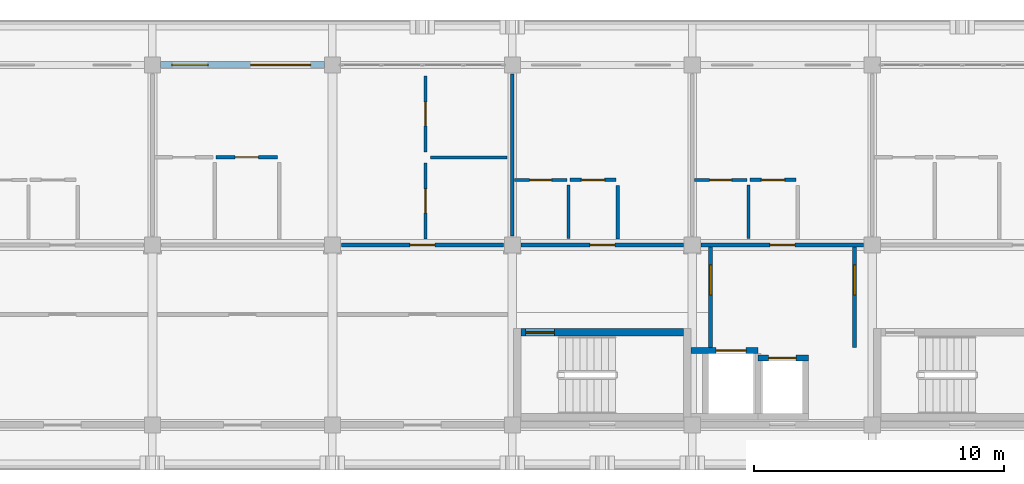
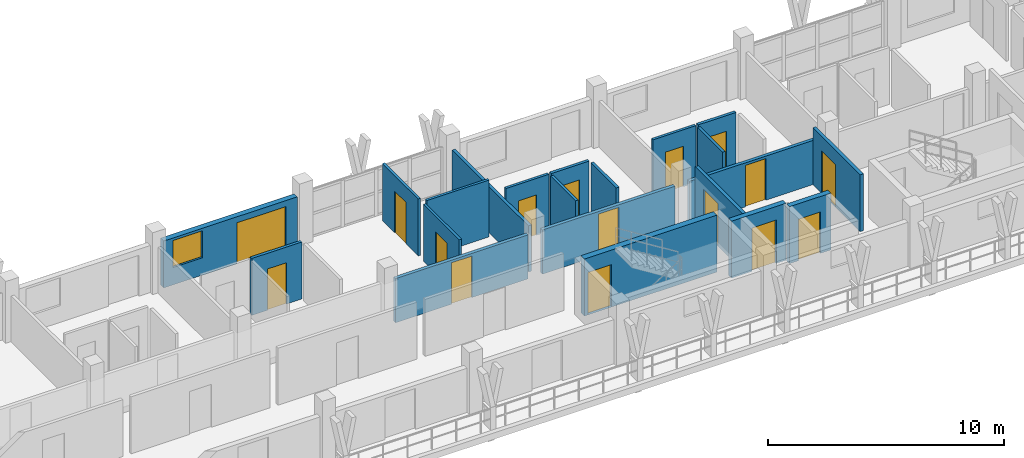
# One storey, part 47 of 78: 21 walls, 16 doors, 1 window, 17 openings.
"""IFC4 building model written with IfcOpenShell, lengths in metres."""

from ifc_helpers import new_model, si_unit, direction, frame, frame_2d, origin, place, context, subcontext, project, spatial, rectangle, extrude, material, layer, layer_set, type_object, element, fill, save


model = new_model("IFC4")

# Units and contexts
model_context = context("Model", 3, precision=1e-05, world=origin(), true_north=direction((0.0, 1.0)))
body_context = subcontext(model_context, "Body", "Model", "MODEL_VIEW")
ifc_project = project(units=[si_unit("LENGTHUNIT", "METRE"), si_unit("AREAUNIT", "SQUARE_METRE"), si_unit("VOLUMEUNIT", "CUBIC_METRE"), si_unit("PLANEANGLEUNIT", "RADIAN"), si_unit("MASSUNIT", "GRAM", prefix="KILO")], contexts=[model_context])

# Site, building, storey
site_placement = place(None, origin())
site = spatial("IfcSite", under=ifc_project, at=site_placement, CompositionType="ELEMENT")
building_placement = place(site_placement, origin())
building = spatial("IfcBuilding", under=site, at=building_placement, Name="Suanplinth Sawtooth Commons", CompositionType="ELEMENT")
storey_placement = place(building_placement, frame((0.0, 0.0, 15.39990234375)))
storey = spatial("IfcBuildingStorey", under=building, at=storey_placement, Name="L04", CompositionType="ELEMENT", Elevation=15.39990234375)

# Wall, opening, door
ifc_material_1 = material(Name="Concrete C40/50", Category="concrete")
ifc_layer_1 = layer(ifc_material_1, 0.300048828125, Name="Standard RC stair and lift core wall 300mm")
ifc_layer_set_1 = layer_set([ifc_layer_1], Name="Concrete C40/50")
wall_type_1 = type_object("IfcWallType", Name="W-CR02", PredefinedType="SHEAR", material=ifc_layer_set_1)
wall_1_placement = place(storey_placement, frame((43.550048828125, 111.699951171875, 0.0), z_axis=(0.0, 0.0, 1.0), x_axis=(1.0, 0.0, 0.0)))
wall_1 = element("IfcWall", 1, at=wall_1_placement, inside=storey, type_object=wall_type_1, Name="W-L04-C-A1-STN", PredefinedType="SHEAR", context=body_context, shape_type="SweptSolid", body=[
    extrude(rectangle(XDim=6.5, YDim=0.300048828125, at=frame_2d((3.25, 0.0))), origin(), (0.0, 0.0, 1.0), 2.9501953125),
])
opening_1_placement = place(wall_1_placement, frame((0.179931640625, 0.0, 0.0)))
opening_1 = element("IfcOpeningElement", 2, at=opening_1_placement, cuts=wall_1, Name="Opening FD0026", PredefinedType="OPENING", context=body_context, shape_type="SweptSolid", body=[
    extrude(rectangle(XDim=1.14990234375, YDim=2.199951171875, at=frame_2d((0.574951171875, 1.10009765625))), frame((0.0, 0.1650390625, 0.0), z_axis=(0.0, -1.0, 0.0), x_axis=(1.0, 0.0, 0.0)), (0.0, 0.0, 1.0), 0.329833984375),
])
ifc_material_2 = material(Name="Teak hardwood fire-rated door assembly", Category="wood")
door_type_1 = type_object("IfcDoorType", Name="FD-01", OperationType="NOTDEFINED", PredefinedType="DOOR", material=ifc_material_2)
door_1_placement = place(opening_1_placement, frame((1.14990234375, 0.0, 0.0), z_axis=(0.0, 0.0, 1.0), x_axis=(-1.0, 0.0, 0.0)))
door_1 = element("IfcDoor", 3, at=door_1_placement, inside=storey, type_object=door_type_1, Name="Exit Stair Fire Door FD0026", OperationType="SINGLE_SWING_LEFT", OverallHeight=2.199951171875, OverallWidth=1.14990234375, PredefinedType="DOOR", context=body_context, shape_type="SweptSolid", body=[
    extrude(rectangle(XDim=1.14990234375, YDim=2.199951171875, at=frame_2d((0.574951171875, 1.10009765625))), frame((0.0, 0.02490234375, 0.0), z_axis=(0.0, -1.0, 0.0), x_axis=(1.0, 0.0, 0.0)), (0.0, 0.0, 1.0), 0.050048828125),
])
fill(opening_1, door_1)

# Wall, openings, door, window
ifc_material_3 = material(Name="Precast concrete C40/50", Category="concrete")
ifc_layer_2 = layer(ifc_material_3, 0.260009765625, Name="Insulated precast courtyard facade wall 260mm")
ifc_layer_set_2 = layer_set([ifc_layer_2], Name="Precast concrete C40/50")
wall_type_2 = type_object("IfcWallType", Name="W-EX02", PredefinedType="ELEMENTEDWALL", material=ifc_layer_set_2)
wall_2_placement = place(storey_placement, frame((29.125, 122.39990234375, 0.0), z_axis=(0.0, 0.0, 1.0), x_axis=(1.0, 0.0, 0.0)))
wall_2 = element("IfcWall", 4, at=wall_2_placement, inside=storey, type_object=wall_type_2, Name="Facade Wall W-L04-A-N-4", PredefinedType="ELEMENTEDWALL", context=body_context, shape_type="SweptSolid", body=[
    extrude(rectangle(XDim=6.550048828125, YDim=0.260009765625, at=frame_2d((3.27490234375, 0.0))), origin(), (0.0, 0.0, 1.0), 2.43017578125),
])
opening_2_placement = place(wall_2_placement, frame((3.60009765625, 0.0, 0.0)))
opening_2 = element("IfcOpeningElement", 5, at=opening_2_placement, cuts=wall_2, Name="Opening ED0316", PredefinedType="OPENING", context=body_context, shape_type="SweptSolid", body=[
    extrude(rectangle(XDim=2.39990234375, YDim=2.1201171875, at=frame_2d((1.199951171875, 1.06005859375))), frame((0.0, 0.14501953125, 0.0), z_axis=(0.0, -1.0, 0.0), x_axis=(1.0, 0.0, 0.0)), (0.0, 0.0, 1.0), 0.289794921875),
])
opening_3_placement = place(wall_2_placement, frame((0.449951171875, 0.0, 0.89990234375)))
opening_3 = element("IfcOpeningElement", 6, at=opening_3_placement, cuts=wall_2, Name="Opening W0417", PredefinedType="OPENING", context=body_context, shape_type="SweptSolid", body=[
    extrude(rectangle(XDim=1.449951171875, YDim=1.39990234375, at=frame_2d((0.72509765625, 0.699951171875))), frame((0.0, 0.14501953125, 0.0), z_axis=(0.0, -1.0, 0.0), x_axis=(1.0, 0.0, 0.0)), (0.0, 0.0, 1.0), 0.289794921875),
])
ifc_material_4 = material(Name="Anodized aluminium and low-E glass", Category="aluminium")
door_type_2 = type_object("IfcDoorType", Name="SD-04", OperationType="DOUBLE_DOOR_SLIDING", PredefinedType="DOOR", material=ifc_material_4)
door_2_placement = place(opening_2_placement, frame((2.39990234375, 0.0, 0.0), z_axis=(0.0, 0.0, 1.0), x_axis=(-1.0, 0.0, 0.0)))
door_2 = element("IfcDoor", 7, at=door_2_placement, inside=storey, type_object=door_type_2, Name="Balcony Sliding Door L04-A-N-4", OperationType="DOUBLE_DOOR_SLIDING", OverallHeight=2.1201171875, OverallWidth=2.39990234375, PredefinedType="DOOR", context=body_context, shape_type="SweptSolid", body=[
    extrude(rectangle(XDim=2.39990234375, YDim=2.1201171875, at=frame_2d((1.199951171875, 1.06005859375))), frame((0.0, 0.02490234375, 0.0), z_axis=(0.0, -1.0, 0.0), x_axis=(1.0, 0.0, 0.0)), (0.0, 0.0, 1.0), 0.050048828125),
])
fill(opening_2, door_2)
ifc_material_5 = material(Name="Thermally broken aluminium and low-E double glazing", Category="aluminium")
window_type = type_object("IfcWindowType", Name="WN-16", PartitioningType="DOUBLE_PANEL_VERTICAL", PredefinedType="WINDOW", material=ifc_material_5)
window_placement = place(opening_3_placement, origin())
window = element("IfcWindow", 8, at=window_placement, inside=storey, type_object=window_type, Name="Window L04-A-N-4", OverallHeight=1.39990234375, OverallWidth=1.449951171875, PartitioningType="DOUBLE_PANEL_VERTICAL", PredefinedType="WINDOW", context=body_context, shape_type="SweptSolid", body=[
    extrude(rectangle(XDim=1.449951171875, YDim=1.39990234375, at=frame_2d((0.72509765625, 0.699951171875))), frame((0.0, 0.030029296875, 0.0), z_axis=(0.0, -1.0, 0.0), x_axis=(1.0, 0.0, 0.0)), (0.0, 0.0, 1.0), 0.06005859375),
])
fill(opening_3, window)

# Wall, opening, door
ifc_layer_3 = layer(ifc_material_3, 0.159912109375, Name="Fire-rated corridor and lobby wall 160mm")
ifc_layer_set_3 = layer_set([ifc_layer_3], Name="Precast concrete C40/50")
wall_type_3 = type_object("IfcWallType", Name="W-FW01", PredefinedType="PARTITIONING", material=ifc_layer_set_3)
wall_3_placement = place(storey_placement, frame((51.1201171875, 111.10009765625, 0.0), z_axis=(0.0, 0.0, 1.0), x_axis=(0.0, 1.0, 0.0)))
wall_3 = element("IfcWall", 9, at=wall_3_placement, inside=storey, type_object=wall_type_3, Name="W-L04-C-A1-LOB-W", PredefinedType="PARTITIONING", context=body_context, shape_type="SweptSolid", body=[
    extrude(rectangle(XDim=4.02001953125, YDim=0.159912109375, at=frame_2d((2.010009765625, 0.0))), origin(), (0.0, 0.0, 1.0), 2.9501953125),
])
opening_4_placement = place(wall_3_placement, frame((2.10009765625, 0.0, 0.0)))
opening_4 = element("IfcOpeningElement", 10, at=opening_4_placement, cuts=wall_3, Name="Opening FD0027", PredefinedType="OPENING", context=body_context, shape_type="SweptSolid", body=[
    extrude(rectangle(XDim=1.199951171875, YDim=2.199951171875, at=frame_2d((0.60009765625, 1.10009765625))), frame((0.0, 0.0947265625, 0.0), z_axis=(0.0, -1.0, 0.0), x_axis=(1.0, 0.0, 0.0)), (0.0, 0.0, 1.0), 0.189697265625),
])
door_type_3 = type_object("IfcDoorType", Name="FD-02", OperationType="NOTDEFINED", PredefinedType="DOOR", material=ifc_material_2)
door_3_placement = place(opening_4_placement, origin())
door_3 = element("IfcDoor", 11, at=door_3_placement, inside=storey, type_object=door_type_3, Name="Lobby Fire Door FD0027", OperationType="SINGLE_SWING_RIGHT", OverallHeight=2.199951171875, OverallWidth=1.199951171875, PredefinedType="DOOR", context=body_context, shape_type="SweptSolid", body=[
    extrude(rectangle(XDim=1.199951171875, YDim=2.199951171875, at=frame_2d((0.60009765625, 1.10009765625))), frame((0.0, 0.02490234375, 0.0), z_axis=(0.0, -1.0, 0.0), x_axis=(1.0, 0.0, 0.0)), (0.0, 0.0, 1.0), 0.050048828125),
])
fill(opening_4, door_3)

wall_4_placement = place(storey_placement, frame((56.8798828125, 111.10009765625, 0.0), z_axis=(0.0, 0.0, 1.0), x_axis=(0.0, 1.0, 0.0)))
wall_4 = element("IfcWall", 12, at=wall_4_placement, inside=storey, type_object=wall_type_3, Name="W-L04-C-A1-LOB-E", PredefinedType="PARTITIONING", context=body_context, shape_type="SweptSolid", body=[
    extrude(rectangle(XDim=4.02001953125, YDim=0.159912109375, at=frame_2d((2.010009765625, 0.0))), origin(), (0.0, 0.0, 1.0), 2.9501953125),
])
opening_5_placement = place(wall_4_placement, frame((2.10009765625, 0.0, 0.0)))
opening_5 = element("IfcOpeningElement", 13, at=opening_5_placement, cuts=wall_4, Name="Opening FD0028", PredefinedType="OPENING", context=body_context, shape_type="SweptSolid", body=[
    extrude(rectangle(XDim=1.199951171875, YDim=2.199951171875, at=frame_2d((0.60009765625, 1.10009765625))), frame((0.0, 0.0947265625, 0.0), z_axis=(0.0, -1.0, 0.0), x_axis=(1.0, 0.0, 0.0)), (0.0, 0.0, 1.0), 0.189697265625),
])
door_4_placement = place(opening_5_placement, frame((1.199951171875, 0.0, 0.0), z_axis=(0.0, 0.0, 1.0), x_axis=(-1.0, 0.0, 0.0)))
door_4 = element("IfcDoor", 14, at=door_4_placement, inside=storey, type_object=door_type_3, Name="Lobby Fire Door FD0028", OperationType="SINGLE_SWING_LEFT", OverallHeight=2.199951171875, OverallWidth=1.199951171875, PredefinedType="DOOR", context=body_context, shape_type="SweptSolid", body=[
    extrude(rectangle(XDim=1.199951171875, YDim=2.199951171875, at=frame_2d((0.60009765625, 1.10009765625))), frame((0.0, 0.02490234375, 0.0), z_axis=(0.0, -1.0, 0.0), x_axis=(1.0, 0.0, 0.0)), (0.0, 0.0, 1.0), 0.050048828125),
])
fill(opening_5, door_4)

wall_5_placement = place(storey_placement, frame((36.35498046875, 115.199951171875, 0.0), z_axis=(0.0, 0.0, 1.0), x_axis=(1.0, 0.0, 0.0)))
wall_5 = element("IfcWall", 15, at=wall_5_placement, inside=storey, type_object=wall_type_3, Name="W-A-L04-U04-COR-S2", PredefinedType="PARTITIONING", context=body_context, shape_type="SweptSolid", body=[
    extrude(rectangle(XDim=6.489990234375, YDim=0.159912109375, at=frame_2d((3.2451171875, 0.0))), origin(), (0.0, 0.0, 1.0), 2.28515625),
])
opening_6_placement = place(wall_5_placement, frame((2.7451171875, 0.0, 0.0)))
opening_6 = element("IfcOpeningElement", 16, at=opening_6_placement, cuts=wall_5, Name="Opening FD1050", PredefinedType="OPENING", context=body_context, shape_type="SweptSolid", body=[
    extrude(rectangle(XDim=1.0, YDim=2.14990234375, at=frame_2d((0.5, 1.074951171875))), frame((0.0, 0.0947265625, 0.0), z_axis=(0.0, -1.0, 0.0), x_axis=(1.0, 0.0, 0.0)), (0.0, 0.0, 1.0), 0.189697265625),
])
door_type_4 = type_object("IfcDoorType", Name="FD-03", OperationType="NOTDEFINED", PredefinedType="DOOR", material=ifc_material_2)
door_5_placement = place(opening_6_placement, origin())
door_5 = element("IfcDoor", 17, at=door_5_placement, inside=storey, type_object=door_type_4, Name="Unit Entrance Door FD1050", OperationType="SINGLE_SWING_RIGHT", OverallHeight=2.14990234375, OverallWidth=1.0, PredefinedType="DOOR", context=body_context, shape_type="SweptSolid", body=[
    extrude(rectangle(XDim=1.0, YDim=2.14990234375, at=frame_2d((0.5, 1.074951171875))), frame((0.0, 0.02490234375, 0.0), z_axis=(0.0, -1.0, 0.0), x_axis=(1.0, 0.0, 0.0)), (0.0, 0.0, 1.0), 0.050048828125),
])
fill(opening_6, door_5)

wall_6_placement = place(storey_placement, frame((43.554931640625, 115.199951171875, 0.0), z_axis=(0.0, 0.0, 1.0), x_axis=(1.0, 0.0, 0.0)))
wall_6 = element("IfcWall", 18, at=wall_6_placement, inside=storey, type_object=wall_type_3, Name="W-A-L04-U05-COR", PredefinedType="PARTITIONING", context=body_context, shape_type="SweptSolid", body=[
    extrude(rectangle(XDim=6.489990234375, YDim=0.159912109375, at=frame_2d((3.2451171875, 0.0))), origin(), (0.0, 0.0, 1.0), 2.28515625),
])
opening_7_placement = place(wall_6_placement, frame((2.7451171875, 0.0, 0.0)))
opening_7 = element("IfcOpeningElement", 19, at=opening_7_placement, cuts=wall_6, Name="Opening FD1055", PredefinedType="OPENING", context=body_context, shape_type="SweptSolid", body=[
    extrude(rectangle(XDim=1.0, YDim=2.14990234375, at=frame_2d((0.5, 1.074951171875))), frame((0.0, 0.0947265625, 0.0), z_axis=(0.0, -1.0, 0.0), x_axis=(1.0, 0.0, 0.0)), (0.0, 0.0, 1.0), 0.189697265625),
])
door_6_placement = place(opening_7_placement, origin())
door_6 = element("IfcDoor", 20, at=door_6_placement, inside=storey, type_object=door_type_4, Name="Unit Entrance Door FD1055", OperationType="SINGLE_SWING_LEFT", OverallHeight=2.14990234375, OverallWidth=1.0, PredefinedType="DOOR", context=body_context, shape_type="SweptSolid", body=[
    extrude(rectangle(XDim=1.0, YDim=2.14990234375, at=frame_2d((0.5, 1.074951171875))), frame((0.0, 0.02490234375, 0.0), z_axis=(0.0, -1.0, 0.0), x_axis=(1.0, 0.0, 0.0)), (0.0, 0.0, 1.0), 0.050048828125),
])
fill(opening_7, door_6)

wall_7_placement = place(storey_placement, frame((50.7548828125, 115.199951171875, 0.0), z_axis=(0.0, 0.0, 1.0), x_axis=(1.0, 0.0, 0.0)))
wall_7 = element("IfcWall", 21, at=wall_7_placement, inside=storey, type_object=wall_type_3, Name="W-A-L04-U06-COR", PredefinedType="PARTITIONING", context=body_context, shape_type="SweptSolid", body=[
    extrude(rectangle(XDim=6.490234375, YDim=0.159912109375, at=frame_2d((3.2451171875, 0.0))), origin(), (0.0, 0.0, 1.0), 2.28515625),
])
opening_8_placement = place(wall_7_placement, frame((2.7451171875, 0.0, 0.0)))
opening_8 = element("IfcOpeningElement", 22, at=opening_8_placement, cuts=wall_7, Name="Opening FD1058", PredefinedType="OPENING", context=body_context, shape_type="SweptSolid", body=[
    extrude(rectangle(XDim=1.0, YDim=2.14990234375, at=frame_2d((0.5, 1.074951171875))), frame((0.0, 0.0947265625, 0.0), z_axis=(0.0, -1.0, 0.0), x_axis=(1.0, 0.0, 0.0)), (0.0, 0.0, 1.0), 0.189697265625),
])
door_7_placement = place(opening_8_placement, origin())
door_7 = element("IfcDoor", 23, at=door_7_placement, inside=storey, type_object=door_type_4, Name="Unit Entrance Door FD1058", OperationType="SINGLE_SWING_RIGHT", OverallHeight=2.14990234375, OverallWidth=1.0, PredefinedType="DOOR", context=body_context, shape_type="SweptSolid", body=[
    extrude(rectangle(XDim=1.0, YDim=2.14990234375, at=frame_2d((0.5, 1.074951171875))), frame((0.0, 0.02490234375, 0.0), z_axis=(0.0, -1.0, 0.0), x_axis=(1.0, 0.0, 0.0)), (0.0, 0.0, 1.0), 0.050048828125),
])
fill(opening_8, door_7)

# Wall
ifc_layer_4 = layer(ifc_material_3, 0.14990234375, Name="Acoustic precast party demising wall 150mm")
ifc_layer_set_4 = layer_set([ifc_layer_4], Name="Precast concrete C40/50")
wall_type_4 = type_object("IfcWallType", Name="W-FW02", PredefinedType="PARTITIONING", material=ifc_layer_set_4)
wall_8_placement = place(storey_placement, frame((43.199951171875, 115.554931640625, 0.0), z_axis=(0.0, 0.0, 1.0), x_axis=(0.0, 1.0, 0.0)))
element("IfcWall", 24, at=wall_8_placement, inside=storey, type_object=wall_type_4, Name="W-A-L04-U04-PTY", PredefinedType="PARTITIONING", context=body_context, shape_type="SweptSolid", body=[
    extrude(rectangle(XDim=6.489990234375, YDim=0.14990234375, at=frame_2d((3.2451171875, 0.0))), origin(), (0.0, 0.0, 1.0), 2.385009765625),
])

# Wall, opening, door
ifc_material_6 = material(Name="Gypsum plasterboard on steel stud", Category="steel")
ifc_layer_5 = layer(ifc_material_6, 0.139892578125, Name="Fire-rated kitchen partition 140mm")
ifc_layer_set_5 = layer_set([ifc_layer_5], Name="Gypsum plasterboard on steel stud")
wall_type_5 = type_object("IfcWallType", Name="W-PT01", PredefinedType="PARTITIONING", material=ifc_layer_set_5)
wall_9_placement = place(storey_placement, frame((31.35009765625, 118.7099609375, 0.0), z_axis=(0.0, 0.0, 1.0), x_axis=(1.0, 0.0, 0.0)))
wall_9 = element("IfcWall", 25, at=wall_9_placement, inside=storey, type_object=wall_type_5, Name="W-A-L04-U04-KIT1", PredefinedType="PARTITIONING", context=body_context, shape_type="SweptSolid", body=[
    extrude(rectangle(XDim=2.449951171875, YDim=0.139892578125, at=frame_2d((1.22509765625, 0.0))), origin(), (0.0, 0.0, 1.0), 2.9501953125),
])
opening_9_placement = place(wall_9_placement, frame((0.760009765625, 0.0, 0.0)))
opening_9 = element("IfcOpeningElement", 26, at=opening_9_placement, cuts=wall_9, Name="Opening D1052", PredefinedType="OPENING", context=body_context, shape_type="SweptSolid", body=[
    extrude(rectangle(XDim=0.929931640625, YDim=2.139892578125, at=frame_2d((0.46484375, 1.06982421875))), frame((0.0, 0.0849609375, 0.0), z_axis=(0.0, -1.0, 0.0), x_axis=(1.0, 0.0, 0.0)), (0.0, 0.0, 1.0), 0.169677734375),
])
ifc_material_7 = material(Name="Teak hardwood", Category="wood")
door_type_5 = type_object("IfcDoorType", Name="D-19", OperationType="NOTDEFINED", PredefinedType="DOOR", material=ifc_material_7)
door_8_placement = place(opening_9_placement, frame((0.929931640625, 0.0, 0.0), z_axis=(0.0, 0.0, 1.0), x_axis=(-1.0, 0.0, 0.0)))
door_8 = element("IfcDoor", 27, at=door_8_placement, inside=storey, type_object=door_type_5, Name="Kitchen Door D1052", OperationType="SINGLE_SWING_RIGHT", OverallHeight=2.139892578125, OverallWidth=0.929931640625, PredefinedType="DOOR", context=body_context, shape_type="SweptSolid", body=[
    extrude(rectangle(XDim=0.929931640625, YDim=2.139892578125, at=frame_2d((0.46484375, 1.06982421875))), frame((0.0, 0.02490234375, 0.0), z_axis=(0.0, -1.0, 0.0), x_axis=(1.0, 0.0, 0.0)), (0.0, 0.0, 1.0), 0.050048828125),
])
fill(opening_9, door_8)

wall_10_placement = place(storey_placement, frame((45.5, 117.800048828125, 0.0), z_axis=(0.0, 0.0, 1.0), x_axis=(1.0, 0.0, 0.0)))
wall_10 = element("IfcWall", 28, at=wall_10_placement, inside=storey, type_object=wall_type_5, Name="W-A-L04-U05-KIT1", PredefinedType="PARTITIONING", context=body_context, shape_type="SweptSolid", body=[
    extrude(rectangle(XDim=1.85009765625, YDim=0.139892578125, at=frame_2d((0.925048828125, 0.0))), origin(), (0.0, 0.0, 1.0), 2.9501953125),
])
opening_10_placement = place(wall_10_placement, frame((0.4599609375, 0.0, 0.0)))
opening_10 = element("IfcOpeningElement", 29, at=opening_10_placement, cuts=wall_10, Name="Opening D1057", PredefinedType="OPENING", context=body_context, shape_type="SweptSolid", body=[
    extrude(rectangle(XDim=0.929931640625, YDim=2.139892578125, at=frame_2d((0.46484375, 1.06982421875))), frame((0.0, 0.0849609375, 0.0), z_axis=(0.0, -1.0, 0.0), x_axis=(1.0, 0.0, 0.0)), (0.0, 0.0, 1.0), 0.169677734375),
])
door_9_placement = place(opening_10_placement, frame((0.929931640625, 0.0, 0.0), z_axis=(0.0, 0.0, 1.0), x_axis=(-1.0, 0.0, 0.0)))
door_9 = element("IfcDoor", 30, at=door_9_placement, inside=storey, type_object=door_type_5, Name="Kitchen Door D1057", OperationType="SINGLE_SWING_LEFT", OverallHeight=2.139892578125, OverallWidth=0.929931640625, PredefinedType="DOOR", context=body_context, shape_type="SweptSolid", body=[
    extrude(rectangle(XDim=0.929931640625, YDim=2.139892578125, at=frame_2d((0.46484375, 1.06982421875))), frame((0.0, 0.02490234375, 0.0), z_axis=(0.0, -1.0, 0.0), x_axis=(1.0, 0.0, 0.0)), (0.0, 0.0, 1.0), 0.050048828125),
])
fill(opening_10, door_9)

# Wall
wall_11_placement = place(storey_placement, frame((47.419921875, 115.429931640625, 0.0), z_axis=(0.0, 0.0, 1.0), x_axis=(0.0, 1.0, 0.0)))
element("IfcWall", 31, at=wall_11_placement, inside=storey, type_object=wall_type_5, Name="W-A-L04-U05-KIT2", PredefinedType="PARTITIONING", context=body_context, shape_type="SweptSolid", body=[
    extrude(rectangle(XDim=2.150146484375, YDim=0.139892578125, at=frame_2d((1.0751953125, 0.0))), origin(), (0.0, 0.0, 1.0), 2.9501953125),
])

# Wall, opening, door
wall_12_placement = place(storey_placement, frame((52.699951171875, 117.800048828125, 0.0), z_axis=(0.0, 0.0, 1.0), x_axis=(1.0, 0.0, 0.0)))
wall_12 = element("IfcWall", 32, at=wall_12_placement, inside=storey, type_object=wall_type_5, Name="W-A-L04-U06-KIT1", PredefinedType="PARTITIONING", context=body_context, shape_type="SweptSolid", body=[
    extrude(rectangle(XDim=1.85009765625, YDim=0.139892578125, at=frame_2d((0.925048828125, 0.0))), origin(), (0.0, 0.0, 1.0), 2.9501953125),
])
opening_11_placement = place(wall_12_placement, frame((0.4599609375, 0.0, 0.0)))
opening_11 = element("IfcOpeningElement", 33, at=opening_11_placement, cuts=wall_12, Name="Opening D1060", PredefinedType="OPENING", context=body_context, shape_type="SweptSolid", body=[
    extrude(rectangle(XDim=0.929931640625, YDim=2.139892578125, at=frame_2d((0.46484375, 1.06982421875))), frame((0.0, 0.0849609375, 0.0), z_axis=(0.0, -1.0, 0.0), x_axis=(1.0, 0.0, 0.0)), (0.0, 0.0, 1.0), 0.169677734375),
])
door_10_placement = place(opening_11_placement, frame((0.929931640625, 0.0, 0.0), z_axis=(0.0, 0.0, 1.0), x_axis=(-1.0, 0.0, 0.0)))
door_10 = element("IfcDoor", 34, at=door_10_placement, inside=storey, type_object=door_type_5, Name="Kitchen Door D1060", OperationType="SINGLE_SWING_RIGHT", OverallHeight=2.139892578125, OverallWidth=0.929931640625, PredefinedType="DOOR", context=body_context, shape_type="SweptSolid", body=[
    extrude(rectangle(XDim=0.929931640625, YDim=2.139892578125, at=frame_2d((0.46484375, 1.06982421875))), frame((0.0, 0.02490234375, 0.0), z_axis=(0.0, -1.0, 0.0), x_axis=(1.0, 0.0, 0.0)), (0.0, 0.0, 1.0), 0.050048828125),
])
fill(opening_11, door_10)

ifc_layer_6 = layer(ifc_material_6, 0.1298828125, Name="Moisture-resistant bathroom partition 130mm")
ifc_layer_set_6 = layer_set([ifc_layer_6], Name="Gypsum plasterboard on steel stud")
wall_type_6 = type_object("IfcWallType", Name="W-PT02", PredefinedType="PARTITIONING", material=ifc_layer_set_6)
wall_13_placement = place(storey_placement, frame((43.280029296875, 117.794921875, 0.0), z_axis=(0.0, 0.0, 1.0), x_axis=(1.0, 0.0, 0.0)))
wall_13 = element("IfcWall", 35, at=wall_13_placement, inside=storey, type_object=wall_type_6, Name="W-A-L04-U05-BTH1", PredefinedType="PARTITIONING", context=body_context, shape_type="SweptSolid", body=[
    extrude(rectangle(XDim=2.099853515625, YDim=0.1298828125, at=frame_2d((1.0498046875, 0.0))), origin(), (0.0, 0.0, 1.0), 2.9501953125),
])
opening_12_placement = place(wall_13_placement, frame((0.610107421875, 0.0, 0.0)))
opening_12 = element("IfcOpeningElement", 36, at=opening_12_placement, cuts=wall_13, Name="Opening D1056", PredefinedType="OPENING", context=body_context, shape_type="SweptSolid", body=[
    extrude(rectangle(XDim=0.8798828125, YDim=2.10009765625, at=frame_2d((0.43994140625, 1.050048828125))), frame((0.0, 0.079833984375, 0.0), z_axis=(0.0, -1.0, 0.0), x_axis=(1.0, 0.0, 0.0)), (0.0, 0.0, 1.0), 0.15966796875),
])
door_type_6 = type_object("IfcDoorType", Name="D-14", OperationType="NOTDEFINED", PredefinedType="DOOR", material=ifc_material_7)
door_11_placement = place(opening_12_placement, frame((0.8798828125, 0.0, 0.0), z_axis=(0.0, 0.0, 1.0), x_axis=(-1.0, 0.0, 0.0)))
door_11 = element("IfcDoor", 37, at=door_11_placement, inside=storey, type_object=door_type_6, Name="Bathroom Door D1056", OperationType="SINGLE_SWING_RIGHT", OverallHeight=2.10009765625, OverallWidth=0.8798828125, PredefinedType="DOOR", context=body_context, shape_type="SweptSolid", body=[
    extrude(rectangle(XDim=0.8798828125, YDim=2.10009765625, at=frame_2d((0.43994140625, 1.050048828125))), frame((0.0, 0.02490234375, 0.0), z_axis=(0.0, -1.0, 0.0), x_axis=(1.0, 0.0, 0.0)), (0.0, 0.0, 1.0), 0.050048828125),
])
fill(opening_12, door_11)

# Wall
wall_14_placement = place(storey_placement, frame((45.445068359375, 115.4599609375, 0.0), z_axis=(0.0, 0.0, 1.0), x_axis=(0.0, 1.0, 0.0)))
element("IfcWall", 38, at=wall_14_placement, inside=storey, type_object=wall_type_6, Name="W-A-L04-U05-BTH2", PredefinedType="PARTITIONING", context=body_context, shape_type="SweptSolid", body=[
    extrude(rectangle(XDim=2.130126953125, YDim=0.1298828125, at=frame_2d((1.06494140625, 0.0))), origin(), (0.0, 0.0, 1.0), 2.9501953125),
])

# Wall, opening, door
wall_15_placement = place(storey_placement, frame((50.47998046875, 117.794921875, 0.0), z_axis=(0.0, 0.0, 1.0), x_axis=(1.0, 0.0, 0.0)))
wall_15 = element("IfcWall", 39, at=wall_15_placement, inside=storey, type_object=wall_type_6, Name="W-A-L04-U06-BTH1", PredefinedType="PARTITIONING", context=body_context, shape_type="SweptSolid", body=[
    extrude(rectangle(XDim=2.10009765625, YDim=0.1298828125, at=frame_2d((1.050048828125, 0.0))), origin(), (0.0, 0.0, 1.0), 2.9501953125),
])
opening_13_placement = place(wall_15_placement, frame((0.610107421875, 0.0, 0.0)))
opening_13 = element("IfcOpeningElement", 40, at=opening_13_placement, cuts=wall_15, Name="Opening D1059", PredefinedType="OPENING", context=body_context, shape_type="SweptSolid", body=[
    extrude(rectangle(XDim=0.8798828125, YDim=2.10009765625, at=frame_2d((0.43994140625, 1.050048828125))), frame((0.0, 0.079833984375, 0.0), z_axis=(0.0, -1.0, 0.0), x_axis=(1.0, 0.0, 0.0)), (0.0, 0.0, 1.0), 0.15966796875),
])
door_12_placement = place(opening_13_placement, frame((0.8798828125, 0.0, 0.0), z_axis=(0.0, 0.0, 1.0), x_axis=(-1.0, 0.0, 0.0)))
door_12 = element("IfcDoor", 41, at=door_12_placement, inside=storey, type_object=door_type_6, Name="Bathroom Door D1059", OperationType="SINGLE_SWING_LEFT", OverallHeight=2.10009765625, OverallWidth=0.8798828125, PredefinedType="DOOR", context=body_context, shape_type="SweptSolid", body=[
    extrude(rectangle(XDim=0.8798828125, YDim=2.10009765625, at=frame_2d((0.43994140625, 1.050048828125))), frame((0.0, 0.02490234375, 0.0), z_axis=(0.0, -1.0, 0.0), x_axis=(1.0, 0.0, 0.0)), (0.0, 0.0, 1.0), 0.050048828125),
])
fill(opening_13, door_12)

# Wall
wall_16_placement = place(storey_placement, frame((52.64501953125, 115.4599609375, 0.0), z_axis=(0.0, 0.0, 1.0), x_axis=(0.0, 1.0, 0.0)))
element("IfcWall", 42, at=wall_16_placement, inside=storey, type_object=wall_type_6, Name="W-A-L04-U06-BTH2", PredefinedType="PARTITIONING", context=body_context, shape_type="SweptSolid", body=[
    extrude(rectangle(XDim=2.130126953125, YDim=0.1298828125, at=frame_2d((1.06494140625, 0.0))), origin(), (0.0, 0.0, 1.0), 2.9501953125),
])

# Wall, opening, door
ifc_layer_7 = layer(ifc_material_6, 0.1201171875, Name="Acoustic bedroom partition 120mm")
ifc_layer_set_7 = layer_set([ifc_layer_7], Name="Gypsum plasterboard on steel stud")
wall_type_7 = type_object("IfcWallType", Name="W-PT03", PredefinedType="PARTITIONING", material=ifc_layer_set_7)
wall_17_placement = place(storey_placement, frame((39.719970703125, 118.919921875, 0.0), z_axis=(0.0, 0.0, 1.0), x_axis=(0.0, 1.0, 0.0)))
wall_17 = element("IfcWall", 43, at=wall_17_placement, inside=storey, type_object=wall_type_7, Name="W-A-L04-U04-BED1", PredefinedType="PARTITIONING", context=body_context, shape_type="SweptSolid", body=[
    extrude(rectangle(XDim=3.0400390625, YDim=0.1201171875, at=frame_2d((1.52001953125, 0.0))), origin(), (0.0, 0.0, 1.0), 2.9501953125),
])
opening_14_placement = place(wall_17_placement, frame((1.044921875, 0.0, 0.0)))
opening_14 = element("IfcOpeningElement", 44, at=opening_14_placement, cuts=wall_17, Name="Opening D1053", PredefinedType="OPENING", context=body_context, shape_type="SweptSolid", body=[
    extrude(rectangle(XDim=0.949951171875, YDim=2.14990234375, at=frame_2d((0.47509765625, 1.074951171875))), frame((0.0, 0.074951171875, 0.0), z_axis=(0.0, -1.0, 0.0), x_axis=(1.0, 0.0, 0.0)), (0.0, 0.0, 1.0), 0.14990234375),
])
door_type_7 = type_object("IfcDoorType", Name="D-03", OperationType="NOTDEFINED", PredefinedType="DOOR", material=ifc_material_7)
door_13_placement = place(opening_14_placement, frame((0.949951171875, 0.0, 0.0), z_axis=(0.0, 0.0, 1.0), x_axis=(-1.0, 0.0, 0.0)))
door_13 = element("IfcDoor", 45, at=door_13_placement, inside=storey, type_object=door_type_7, Name="Bedroom Door D1053", OperationType="SINGLE_SWING_LEFT", OverallHeight=2.14990234375, OverallWidth=0.949951171875, PredefinedType="DOOR", context=body_context, shape_type="SweptSolid", body=[
    extrude(rectangle(XDim=0.949951171875, YDim=2.14990234375, at=frame_2d((0.47509765625, 1.074951171875))), frame((0.0, 0.02490234375, 0.0), z_axis=(0.0, -1.0, 0.0), x_axis=(1.0, 0.0, 0.0)), (0.0, 0.0, 1.0), 0.050048828125),
])
fill(opening_14, door_13)

wall_18_placement = place(storey_placement, frame((39.719970703125, 115.43994140625, 0.0), z_axis=(0.0, 0.0, 1.0), x_axis=(0.0, 1.0, 0.0)))
wall_18 = element("IfcWall", 46, at=wall_18_placement, inside=storey, type_object=wall_type_7, Name="W-A-L04-U04-BED2", PredefinedType="PARTITIONING", context=body_context, shape_type="SweptSolid", body=[
    extrude(rectangle(XDim=3.0400390625, YDim=0.1201171875, at=frame_2d((1.52001953125, 0.0))), origin(), (0.0, 0.0, 1.0), 2.9501953125),
])
opening_15_placement = place(wall_18_placement, frame((1.0400390625, 0.0, 0.0)))
opening_15 = element("IfcOpeningElement", 47, at=opening_15_placement, cuts=wall_18, Name="Opening D1054", PredefinedType="OPENING", context=body_context, shape_type="SweptSolid", body=[
    extrude(rectangle(XDim=0.9599609375, YDim=2.14990234375, at=frame_2d((0.47998046875, 1.074951171875))), frame((0.0, 0.074951171875, 0.0), z_axis=(0.0, -1.0, 0.0), x_axis=(1.0, 0.0, 0.0)), (0.0, 0.0, 1.0), 0.14990234375),
])
door_type_8 = type_object("IfcDoorType", Name="D-13", OperationType="NOTDEFINED", PredefinedType="DOOR", material=ifc_material_7)
door_14_placement = place(opening_15_placement, frame((0.9599609375, 0.0, 0.0), z_axis=(0.0, 0.0, 1.0), x_axis=(-1.0, 0.0, 0.0)))
door_14 = element("IfcDoor", 48, at=door_14_placement, inside=storey, type_object=door_type_8, Name="Second Bedroom Door D1054", OperationType="SINGLE_SWING_RIGHT", OverallHeight=2.14990234375, OverallWidth=0.9599609375, PredefinedType="DOOR", context=body_context, shape_type="SweptSolid", body=[
    extrude(rectangle(XDim=0.9599609375, YDim=2.14990234375, at=frame_2d((0.47998046875, 1.074951171875))), frame((0.0, 0.02490234375, 0.0), z_axis=(0.0, -1.0, 0.0), x_axis=(1.0, 0.0, 0.0)), (0.0, 0.0, 1.0), 0.050048828125),
])
fill(opening_15, door_14)

# Wall
ifc_layer_8 = layer(ifc_material_6, 0.125, Name="Acoustic study partition 125mm")
ifc_layer_set_8 = layer_set([ifc_layer_8], Name="Gypsum plasterboard on steel stud")
wall_type_8 = type_object("IfcWallType", Name="W-PT06", PredefinedType="PARTITIONING", material=ifc_layer_set_8)
wall_19_placement = place(storey_placement, frame((39.919921875, 118.699951171875, 0.0), z_axis=(0.0, 0.0, 1.0), x_axis=(1.0, 0.0, 0.0)))
element("IfcWall", 49, at=wall_19_placement, inside=storey, type_object=wall_type_8, Name="W-A-L04-U04-BEDDIV", PredefinedType="PARTITIONING", context=body_context, shape_type="SweptSolid", body=[
    extrude(rectangle(XDim=3.06005859375, YDim=0.125, at=frame_2d((1.530029296875, 0.0))), origin(), (0.0, 0.0, 1.0), 2.9501953125),
])

# Wall, opening, door
ifc_layer_9 = layer(ifc_material_3, 0.25, Name="Precast structural shear wall 250mm")
ifc_layer_set_9 = layer_set([ifc_layer_9], Name="Precast concrete C40/50")
wall_type_9 = type_object("IfcWallType", Name="W-SH01", PredefinedType="SHEAR", material=ifc_layer_set_9)
wall_20_placement = place(storey_placement, frame((50.35009765625, 110.97509765625, 0.0), z_axis=(0.0, 0.0, 1.0), x_axis=(1.0, 0.0, 0.0)))
wall_20 = element("IfcWall", 50, at=wall_20_placement, inside=storey, type_object=wall_type_9, Name="W-L04-FL1-N", PredefinedType="SHEAR", context=body_context, shape_type="SweptSolid", body=[
    extrude(rectangle(XDim=2.6748046875, YDim=0.25, at=frame_2d((1.33740234375, 0.0))), origin(), (0.0, 0.0, 1.0), 2.9501953125),
])
opening_16_placement = place(wall_20_placement, frame((1.0, 0.0, 0.0)))
opening_16 = element("IfcOpeningElement", 51, at=opening_16_placement, cuts=wall_20, Name="Opening LD0029", PredefinedType="OPENING", context=body_context, shape_type="SweptSolid", body=[
    extrude(rectangle(XDim=1.199951171875, YDim=2.25, at=frame_2d((0.60009765625, 1.125))), frame((0.0, 0.139892578125, 0.0), z_axis=(0.0, -1.0, 0.0), x_axis=(1.0, 0.0, 0.0)), (0.0, 0.0, 1.0), 0.27978515625),
])
ifc_material_8 = material(Name="Stainless steel Grade 304", Category="steel")
door_type_9 = type_object("IfcDoorType", Name="LD-02", OperationType="SLIDING_TO_LEFT", PredefinedType="DOOR", material=ifc_material_8)
door_15_placement = place(opening_16_placement, origin())
door_15 = element("IfcDoor", 52, at=door_15_placement, inside=storey, type_object=door_type_9, Name="Lift Landing Sliding Door FL1 L04", OperationType="SLIDING_TO_LEFT", OverallHeight=2.25, OverallWidth=1.199951171875, PredefinedType="DOOR", context=body_context, shape_type="SweptSolid", body=[
    extrude(rectangle(XDim=1.199951171875, YDim=2.25, at=frame_2d((0.60009765625, 1.125))), frame((0.0, 0.02490234375, 0.0), z_axis=(0.0, -1.0, 0.0), x_axis=(1.0, 0.0, 0.0)), (0.0, 0.0, 1.0), 0.050048828125),
])
fill(opening_16, door_15)

wall_21_placement = place(storey_placement, frame((53.02490234375, 110.675048828125, 0.0), z_axis=(0.0, 0.0, 1.0), x_axis=(1.0, 0.0, 0.0)))
wall_21 = element("IfcWall", 53, at=wall_21_placement, inside=storey, type_object=wall_type_9, Name="W-L04-LF1-N", PredefinedType="SHEAR", context=body_context, shape_type="SweptSolid", body=[
    extrude(rectangle(XDim=2.025146484375, YDim=0.25, at=frame_2d((1.0126953125, 0.0))), origin(), (0.0, 0.0, 1.0), 2.9501953125),
])
opening_17_placement = place(wall_21_placement, frame((0.425048828125, 0.0, 0.0)))
opening_17 = element("IfcOpeningElement", 54, at=opening_17_placement, cuts=wall_21, Name="Opening LD0030", PredefinedType="OPENING", context=body_context, shape_type="SweptSolid", body=[
    extrude(rectangle(XDim=1.10009765625, YDim=2.14990234375, at=frame_2d((0.550048828125, 1.074951171875))), frame((0.0, 0.139892578125, 0.0), z_axis=(0.0, -1.0, 0.0), x_axis=(1.0, 0.0, 0.0)), (0.0, 0.0, 1.0), 0.27978515625),
])
door_type_10 = type_object("IfcDoorType", Name="LD-01", OperationType="SLIDING_TO_LEFT", PredefinedType="DOOR", material=ifc_material_8)
door_16_placement = place(opening_17_placement, origin())
door_16 = element("IfcDoor", 55, at=door_16_placement, inside=storey, type_object=door_type_10, Name="Lift Landing Sliding Door LF1 L04", OperationType="SLIDING_TO_LEFT", OverallHeight=2.14990234375, OverallWidth=1.10009765625, PredefinedType="DOOR", context=body_context, shape_type="SweptSolid", body=[
    extrude(rectangle(XDim=1.10009765625, YDim=2.14990234375, at=frame_2d((0.550048828125, 1.074951171875))), frame((0.0, 0.02490234375, 0.0), z_axis=(0.0, -1.0, 0.0), x_axis=(1.0, 0.0, 0.0)), (0.0, 0.0, 1.0), 0.050048828125),
])
fill(opening_17, door_16)

save(model, "model.ifc")
